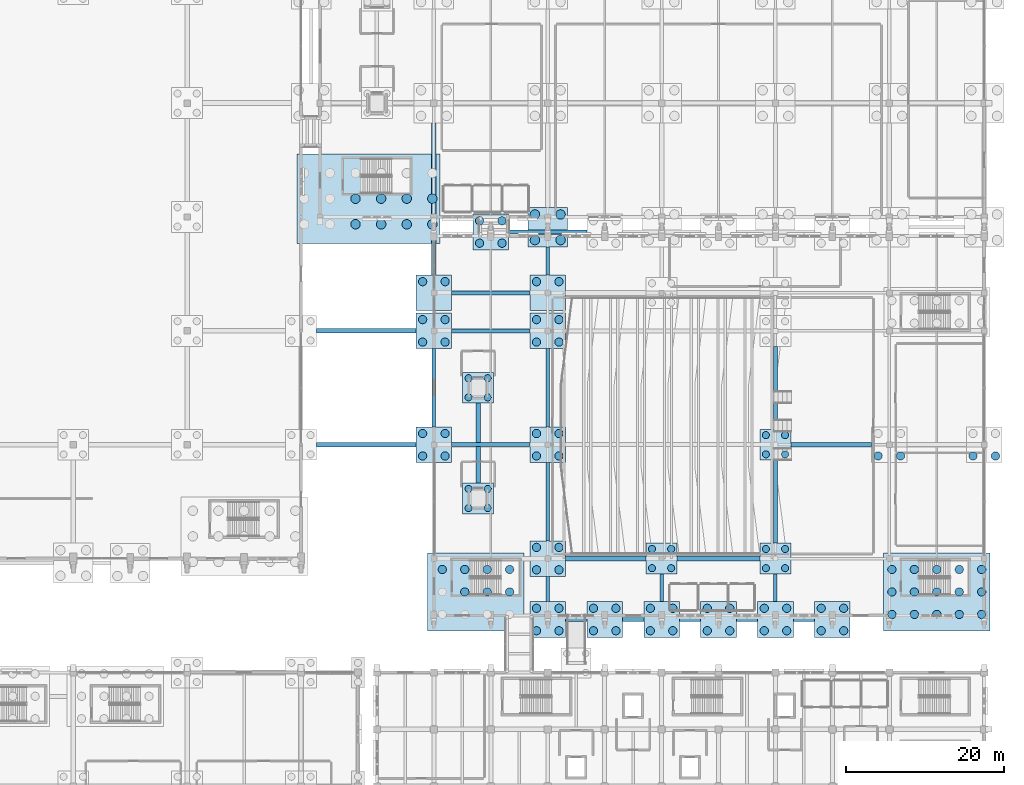
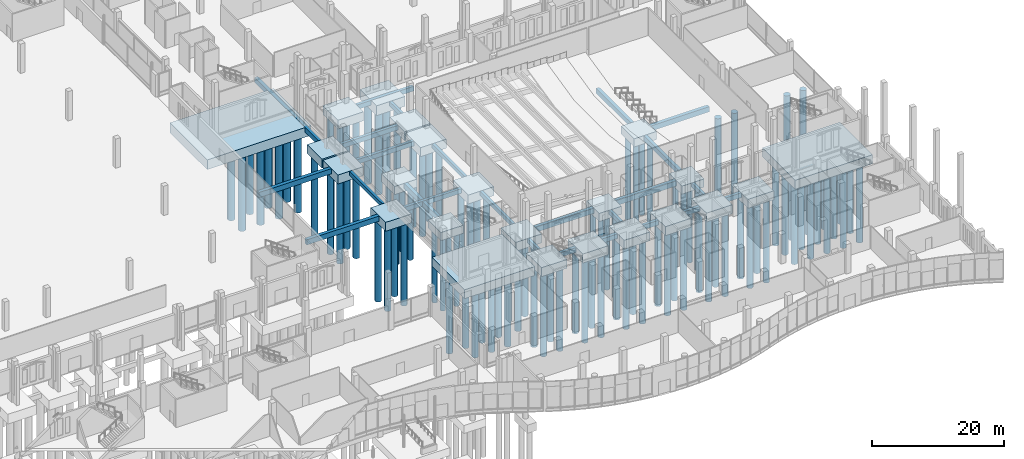
# One storey, part 5 of 192: 110 piles, 48 footings.
"""IFC4 building model written with IfcOpenShell, lengths in metres."""

from ifc_helpers import new_model, si_unit, direction, frame, origin, origin_2d, place, context, subcontext, project, spatial, rectangle, circle, extrude, material, material_profile, profile_set, type_object, element, save


model = new_model("IFC4")

# Units and contexts
model_context = context("Model", 3, precision=1e-05, world=origin(), true_north=direction((0.0, 1.0)))
body_context = subcontext(model_context, "Body", "Model", "MODEL_VIEW")
ifc_project = project(units=[si_unit("LENGTHUNIT", "METRE"), si_unit("AREAUNIT", "SQUARE_METRE"), si_unit("VOLUMEUNIT", "CUBIC_METRE"), si_unit("PLANEANGLEUNIT", "RADIAN"), si_unit("MASSUNIT", "GRAM", prefix="KILO")], contexts=[model_context])

# Site, building, storey
site_placement = place(None, origin())
site = spatial("IfcSite", under=ifc_project, at=site_placement, CompositionType="ELEMENT")
building_placement = place(site_placement, origin())
building = spatial("IfcBuilding", under=site, at=building_placement, Name="Cendralis Lancet Convention Centre", CompositionType="ELEMENT")
storey_placement = place(building_placement, origin())
storey = spatial("IfcBuildingStorey", under=building, at=storey_placement, Name="L00", CompositionType="ELEMENT", Elevation=0.0)

# Footings
ifc_material = material(Name="Concrete G35 (C35/45)", Category="concrete")
footing_type_1 = type_object("IfcFootingType", Name="STR-FT-PC02", PredefinedType="PILE_CAP", material=ifc_material)
for number, where, z_axis, x_axis, name in (
    (1, (139.199951171875, 64.800048828125, -3.300048828125), (0.0, 0.0, 1.0), (1.0, 0.0, 0.0), "Pile Cap PC-02 #152"),
    (2, (139.199951171875, 79.199951171875, -3.300048828125), (0.0, 0.0, 1.0), (1.0, 0.0, 0.0), "Pile Cap PC-02 #153"),
    (3, (139.199951171875, 84.0, -3.300048828125), (0.0, 0.0, 1.0), (1.0, 0.0, 0.0), "Pile Cap PC-02 #154"),
    (4, (146.39990234375, 91.705078125, -3.300048828125), (0.0, 0.0, 1.0), (1.0, 0.0, 0.0), "Pile Cap PC-02 #161"),
    (5, (153.60009765625, 42.695068359375, -3.300048828125), (0.0, 0.0, 1.0), (1.0, 0.0, 0.0), "Pile Cap PC-02 #162"),
    (6, (153.60009765625, 50.39990234375, -3.300048828125), (0.0, 0.0, 1.0), (1.0, 0.0, 0.0), "Pile Cap PC-02 #163"),
    (7, (153.60009765625, 64.800048828125, -3.300048828125), (0.0, 0.0, 1.0), (1.0, 0.0, 0.0), "Pile Cap PC-02 #164"),
    (8, (153.60009765625, 79.199951171875, -3.300048828125), (0.0, 0.0, 1.0), (1.0, 0.0, 0.0), "Pile Cap PC-02 #165"),
    (9, (153.60009765625, 84.0, -3.300048828125), (0.0, 0.0, 1.0), (1.0, 0.0, 0.0), "Pile Cap PC-02 #166"),
    (10, (160.800048828125, 42.695068359375, -3.300048828125), (0.0, 0.0, 1.0), (1.0, 0.0, 0.0), "Pile Cap PC-02 #172"),
    (11, (168.0, 42.695068359375, -3.300048828125), (0.0, 0.0, 1.0), (1.0, 0.0, 0.0), "Pile Cap PC-02 #174"),
    (12, (175.199951171875, 42.695068359375, -3.300048828125), (0.0, 0.0, 1.0), (1.0, 0.0, 0.0), "Pile Cap PC-02 #181"),
    (13, (182.39990234375, 42.695068359375, -3.300048828125), (0.0, 0.0, 1.0), (1.0, 0.0, 0.0), "Pile Cap PC-02 #183"),
    (14, (189.60009765625, 42.695068359375, -3.300048828125), (0.0, 0.0, 1.0), (1.0, 0.0, 0.0), "Pile Cap PC-02 #192"),
):
    element("IfcFooting", number, at=place(storey_placement, frame(where, z_axis=z_axis, x_axis=x_axis)), inside=storey, type_object=footing_type_1, Name=name, PredefinedType="PILE_CAP", context=body_context, shape_type="SweptSolid", body=[
        extrude(rectangle(XDim=4.5, YDim=4.5, at=origin_2d()), origin(), (0.0, 0.0, 1.0), 1.64990234375),
    ])
footing_type_2 = type_object("IfcFootingType", Name="STR-FT-PC04", PredefinedType="PILE_CAP", material=ifc_material)
for number, where, z_axis, x_axis, name in (
    (15, (144.800048828125, 58.0, -3.14990234375), (0.0, 0.0, 1.0), (1.0, 0.0, 0.0), "Pile Cap PC-04 #158"),
    (16, (144.800048828125, 72.0, -3.14990234375), (0.0, 0.0, 1.0), (1.0, 0.0, 0.0), "Pile Cap PC-04 #159"),
    (17, (168.0, 50.39990234375, -3.14990234375), (0.0, 0.0, 1.0), (1.0, 0.0, 0.0), "Pile Cap PC-04 #175"),
    (18, (182.39990234375, 50.39990234375, -3.14990234375), (0.0, 0.0, 1.0), (1.0, 0.0, 0.0), "Pile Cap PC-04 #184"),
    (19, (182.39990234375, 64.800048828125, -3.14990234375), (0.0, 0.0, 1.0), (1.0, 0.0, 0.0), "Pile Cap PC-04 #185"),
):
    element("IfcFooting", number, at=place(storey_placement, frame(where, z_axis=z_axis, x_axis=x_axis)), inside=storey, type_object=footing_type_2, Name=name, PredefinedType="PILE_CAP", context=body_context, shape_type="SweptSolid", body=[
        extrude(rectangle(XDim=3.89990234375, YDim=3.89990234375, at=origin_2d()), origin(), (0.0, 0.0, 1.0), 1.5),
    ])
footing_type_3 = type_object("IfcFootingType", Name="STR-FT-PC16", PredefinedType="PILE_CAP", material=ifc_material)
footing_1_placement = place(storey_placement, frame((153.60009765625, 92.300048828125, -3.4501953125), z_axis=(0.0, 0.0, 1.0), x_axis=(1.0, 0.0, 0.0)))
element("IfcFooting", 20, at=footing_1_placement, inside=storey, type_object=footing_type_3, Name="Pile Cap PC-16 #167", PredefinedType="PILE_CAP", context=body_context, shape_type="SweptSolid", body=[
    extrude(rectangle(XDim=5.0, YDim=5.0, at=origin_2d()), origin(), (0.0, 0.0, 1.0), 1.800048828125),
])
footing_type_4 = type_object("IfcFootingType", Name="STR-FT-PC27", PredefinedType="PILE_CAP", material=ifc_material)
footing_2_placement = place(storey_placement, frame((130.9111328125, 95.9150390625, -3.4501953125), z_axis=(0.0, 0.0, 1.0), x_axis=(1.0, 0.0, 0.0)))
element("IfcFooting", 21, at=footing_2_placement, inside=storey, type_object=footing_type_4, Name="Pile Cap PC-27 #149", PredefinedType="PILE_CAP", context=body_context, shape_type="SweptSolid", body=[
    extrude(rectangle(XDim=18.10009765625, YDim=11.300048828125, at=origin_2d()), origin(), (0.0, 0.0, 1.0), 1.800048828125),
])
footing_type_5 = type_object("IfcFootingType", Name="STR-FT-PC29", PredefinedType="PILE_CAP", material=ifc_material)
footing_3_placement = place(storey_placement, frame((144.52490234375, 46.1826171875, -3.300048828125), z_axis=(0.0, 0.0, 1.0), x_axis=(1.0, 0.0, 0.0)))
element("IfcFooting", 22, at=footing_3_placement, inside=storey, type_object=footing_type_5, Name="Pile Cap PC-29 #157", PredefinedType="PILE_CAP", context=body_context, shape_type="SweptSolid", body=[
    extrude(rectangle(XDim=12.199951171875, YDim=9.89990234375, at=origin_2d()), origin(), (0.0, 0.0, 1.0), 1.64990234375),
])
footing_type_6 = type_object("IfcFootingType", Name="STR-FT-PC30", PredefinedType="PILE_CAP", material=ifc_material)
footing_4_placement = place(storey_placement, frame((202.800048828125, 46.1826171875, -3.300048828125), z_axis=(0.0, 0.0, 1.0), x_axis=(1.0, 0.0, 0.0)))
element("IfcFooting", 23, at=footing_4_placement, inside=storey, type_object=footing_type_6, Name="Pile Cap PC-30 #199", PredefinedType="PILE_CAP", context=body_context, shape_type="SweptSolid", body=[
    extrude(rectangle(XDim=13.5, YDim=9.89990234375, at=origin_2d()), origin(), (0.0, 0.0, 1.0), 1.64990234375),
])
ifc_material_profile_1 = material_profile(ifc_material, rectangle(XDim=0.60009765625, YDim=0.949951171875, at=origin_2d()), Name="RCB 600x950")
ifc_profile_set_1 = profile_set([ifc_material_profile_1], Name="Concrete G35 (C35/45)")
footing_type_7 = type_object("IfcFootingType", Name="STR-GB-GB01", PredefinedType="FOOTING_BEAM", material=ifc_profile_set_1)
footing_5_placement = place(storey_placement, frame((155.85009765625, 50.39990234375, -2.125), z_axis=(1.0, 0.0, 0.0), x_axis=(0.0, 1.0, 0.0)))
element("IfcFooting", 24, at=footing_5_placement, inside=storey, type_object=footing_type_7, Name="Ground Tie Beam GB01 X-071", PredefinedType="FOOTING_BEAM", context=body_context, shape_type="SweptSolid", body=[
    extrude(rectangle(XDim=0.60009765625, YDim=0.949951171875, at=origin_2d()), origin(), (0.0, 0.0, 1.0), 10.199951171875),
])
footing_6_placement = place(storey_placement, frame((169.949951171875, 50.39990234375, -2.125), z_axis=(1.0, 0.0, 0.0), x_axis=(0.0, 1.0, 0.0)))
element("IfcFooting", 25, at=footing_6_placement, inside=storey, type_object=footing_type_7, Name="Ground Tie Beam GB01 X-072", PredefinedType="FOOTING_BEAM", context=body_context, shape_type="SweptSolid", body=[
    extrude(rectangle(XDim=0.60009765625, YDim=0.949951171875, at=origin_2d()), origin(), (0.0, 0.0, 1.0), 10.5),
])
footing_7_placement = place(storey_placement, frame((124.35009765625, 64.800048828125, -2.125), z_axis=(1.0, 0.0, 0.0), x_axis=(0.0, 1.0, 0.0)))
element("IfcFooting", 26, at=footing_7_placement, inside=storey, type_object=footing_type_7, Name="Ground Tie Beam GB01 X-084", PredefinedType="FOOTING_BEAM", context=body_context, shape_type="SweptSolid", body=[
    extrude(rectangle(XDim=0.60009765625, YDim=0.949951171875, at=origin_2d()), origin(), (0.0, 0.0, 1.0), 12.599853515625),
])
footing_8_placement = place(storey_placement, frame((184.35009765625, 64.800048828125, -2.125), z_axis=(1.0, 0.0, 0.0), x_axis=(0.0, 1.0, 0.0)))
element("IfcFooting", 27, at=footing_8_placement, inside=storey, type_object=footing_type_7, Name="Ground Tie Beam GB01 X-086", PredefinedType="FOOTING_BEAM", context=body_context, shape_type="SweptSolid", body=[
    extrude(rectangle(XDim=0.60009765625, YDim=0.949951171875, at=origin_2d()), origin(), (0.0, 0.0, 1.0), 10.199951171875),
])
footing_9_placement = place(storey_placement, frame((124.35009765625, 79.199951171875, -2.125), z_axis=(1.0, 0.0, 0.0), x_axis=(0.0, 1.0, 0.0)))
element("IfcFooting", 28, at=footing_9_placement, inside=storey, type_object=footing_type_7, Name="Ground Tie Beam GB01 X-090", PredefinedType="FOOTING_BEAM", context=body_context, shape_type="SweptSolid", body=[
    extrude(rectangle(XDim=0.60009765625, YDim=0.949951171875, at=origin_2d()), origin(), (0.0, 0.0, 1.0), 12.599853515625),
])
ifc_material_profile_2 = material_profile(ifc_material, rectangle(XDim=0.550048828125, YDim=0.89990234375, at=origin_2d()), Name="RCB 550x900")
ifc_profile_set_2 = profile_set([ifc_material_profile_2], Name="Concrete G35 (C35/45)")
footing_type_8 = type_object("IfcFootingType", Name="STR-GB-GB02", PredefinedType="FOOTING_BEAM", material=ifc_profile_set_2)
footing_10_placement = place(storey_placement, frame((139.199951171875, 86.25, -2.10009765625), z_axis=(0.0, 1.0, 0.0), x_axis=(-1.0, 0.0, 0.0)))
element("IfcFooting", 29, at=footing_10_placement, inside=storey, type_object=footing_type_8, Name="Ground Tie Beam GB02 Y-212", PredefinedType="FOOTING_BEAM", context=body_context, shape_type="SweptSolid", body=[
    extrude(rectangle(XDim=0.550048828125, YDim=0.89990234375, at=origin_2d()), origin(), (0.0, 0.0, 1.0), 19.25),
])
footing_11_placement = place(storey_placement, frame((144.800048828125, 59.949951171875, -2.10009765625), z_axis=(0.0, 1.0, 0.0), x_axis=(-1.0, 0.0, 0.0)))
element("IfcFooting", 30, at=footing_11_placement, inside=storey, type_object=footing_type_8, Name="Ground Tie Beam GB02 Y-214", PredefinedType="FOOTING_BEAM", context=body_context, shape_type="SweptSolid", body=[
    extrude(rectangle(XDim=0.550048828125, YDim=0.89990234375, at=origin_2d()), origin(), (0.0, 0.0, 1.0), 10.10009765625),
])
for number, where, z_axis, x_axis, name in (
    (31, (182.39990234375, 52.35009765625, -2.10009765625), (0.0, 1.0, 0.0), (-1.0, 0.0, 0.0), "Ground Tie Beam GB02 Y-228"),
    (32, (182.39990234375, 66.75, -2.10009765625), (0.0, 1.0, 0.0), (-1.0, 0.0, 0.0), "Ground Tie Beam GB02 Y-229"),
):
    element("IfcFooting", number, at=place(storey_placement, frame(where, z_axis=z_axis, x_axis=x_axis)), inside=storey, type_object=footing_type_8, Name=name, PredefinedType="FOOTING_BEAM", context=body_context, shape_type="SweptSolid", body=[
        extrude(rectangle(XDim=0.550048828125, YDim=0.89990234375, at=origin_2d()), origin(), (0.0, 0.0, 1.0), 10.5),
    ])
ifc_material_profile_3 = material_profile(ifc_material, rectangle(XDim=0.5, YDim=0.85009765625, at=origin_2d()), Name="RCB 500x850")
ifc_profile_set_3 = profile_set([ifc_material_profile_3], Name="Concrete G35 (C35/45)")
footing_type_9 = type_object("IfcFootingType", Name="STR-GB-GB03", PredefinedType="FOOTING_BEAM", material=ifc_profile_set_3)
for number, where, z_axis, x_axis, name in (
    (33, (155.85009765625, 42.695068359375, -2.074951171875), (1.0, 0.0, 0.0), (0.0, 1.0, 0.0), "Ground Tie Beam GB03 X-059"),
    (34, (163.050048828125, 42.695068359375, -2.074951171875), (1.0, 0.0, 0.0), (0.0, 1.0, 0.0), "Ground Tie Beam GB03 X-060"),
    (35, (170.25, 42.695068359375, -2.074951171875), (1.0, 0.0, 0.0), (0.0, 1.0, 0.0), "Ground Tie Beam GB03 X-061"),
    (36, (177.449951171875, 42.695068359375, -2.074951171875), (1.0, 0.0, 0.0), (0.0, 1.0, 0.0), "Ground Tie Beam GB03 X-062"),
):
    element("IfcFooting", number, at=place(storey_placement, frame(where, z_axis=z_axis, x_axis=x_axis)), inside=storey, type_object=footing_type_9, Name=name, PredefinedType="FOOTING_BEAM", context=body_context, shape_type="SweptSolid", body=[
        extrude(rectangle(XDim=0.5, YDim=0.85009765625, at=origin_2d()), origin(), (0.0, 0.0, 1.0), 2.699951171875),
    ])
footing_12_placement = place(storey_placement, frame((184.64990234375, 42.695068359375, -2.074951171875), z_axis=(1.0, 0.0, 0.0), x_axis=(0.0, 1.0, 0.0)))
element("IfcFooting", 37, at=footing_12_placement, inside=storey, type_object=footing_type_9, Name="Ground Tie Beam GB03 X-063", PredefinedType="FOOTING_BEAM", context=body_context, shape_type="SweptSolid", body=[
    extrude(rectangle(XDim=0.5, YDim=0.85009765625, at=origin_2d()), origin(), (0.0, 0.0, 1.0), 2.7001953125),
])
for number, where, z_axis, x_axis, name in (
    (38, (141.449951171875, 64.800048828125, -2.074951171875), (1.0, 0.0, 0.0), (0.0, 1.0, 0.0), "Ground Tie Beam GB03 X-085"),
    (39, (141.449951171875, 79.199951171875, -2.074951171875), (1.0, 0.0, 0.0), (0.0, 1.0, 0.0), "Ground Tie Beam GB03 X-091"),
    (40, (141.449951171875, 84.0, -2.074951171875), (1.0, 0.0, 0.0), (0.0, 1.0, 0.0), "Ground Tie Beam GB03 X-092"),
    (41, (148.64990234375, 91.705078125, -2.074951171875), (1.0, 0.0, 0.0), (0.0, 1.0, 0.0), "Ground Tie Beam GB03 X-095"),
):
    element("IfcFooting", number, at=place(storey_placement, frame(where, z_axis=z_axis, x_axis=x_axis)), inside=storey, type_object=footing_type_9, Name=name, PredefinedType="FOOTING_BEAM", context=body_context, shape_type="SweptSolid", body=[
        extrude(rectangle(XDim=0.5, YDim=0.85009765625, at=origin_2d()), origin(), (0.0, 0.0, 1.0), 9.900146484375),
    ])
ifc_material_profile_4 = material_profile(ifc_material, rectangle(XDim=0.449951171875, YDim=0.75, at=origin_2d()), Name="RCB 450x750")
ifc_profile_set_4 = profile_set([ifc_material_profile_4], Name="Concrete G35 (C35/45)")
footing_type_10 = type_object("IfcFootingType", Name="STR-GB-GB04", PredefinedType="FOOTING_BEAM", material=ifc_profile_set_4)
footing_13_placement = place(storey_placement, frame((139.199951171875, 67.050048828125, -2.02490234375), z_axis=(0.0, 1.0, 0.0), x_axis=(-1.0, 0.0, 0.0)))
element("IfcFooting", 42, at=footing_13_placement, inside=storey, type_object=footing_type_10, Name="Ground Tie Beam GB04 Y-211", PredefinedType="FOOTING_BEAM", context=body_context, shape_type="SweptSolid", body=[
    extrude(rectangle(XDim=0.449951171875, YDim=0.75, at=origin_2d()), origin(), (0.0, 0.0, 1.0), 9.89990234375),
])
footing_14_placement = place(storey_placement, frame((153.60009765625, 44.945068359375, -2.02490234375), z_axis=(0.0, 1.0, 0.0), x_axis=(-1.0, 0.0, 0.0)))
element("IfcFooting", 43, at=footing_14_placement, inside=storey, type_object=footing_type_10, Name="Ground Tie Beam GB04 Y-215", PredefinedType="FOOTING_BEAM", context=body_context, shape_type="SweptSolid", body=[
    extrude(rectangle(XDim=0.449951171875, YDim=0.75, at=origin_2d()), origin(), (0.0, 0.0, 1.0), 3.204833984375),
])
footing_15_placement = place(storey_placement, frame((153.60009765625, 52.64990234375, -2.02490234375), z_axis=(0.0, 1.0, 0.0), x_axis=(-1.0, 0.0, 0.0)))
element("IfcFooting", 44, at=footing_15_placement, inside=storey, type_object=footing_type_10, Name="Ground Tie Beam GB04 Y-216", PredefinedType="FOOTING_BEAM", context=body_context, shape_type="SweptSolid", body=[
    extrude(rectangle(XDim=0.449951171875, YDim=0.75, at=origin_2d()), origin(), (0.0, 0.0, 1.0), 9.900146484375),
])
footing_16_placement = place(storey_placement, frame((153.60009765625, 67.050048828125, -2.02490234375), z_axis=(0.0, 1.0, 0.0), x_axis=(-1.0, 0.0, 0.0)))
element("IfcFooting", 45, at=footing_16_placement, inside=storey, type_object=footing_type_10, Name="Ground Tie Beam GB04 Y-217", PredefinedType="FOOTING_BEAM", context=body_context, shape_type="SweptSolid", body=[
    extrude(rectangle(XDim=0.449951171875, YDim=0.75, at=origin_2d()), origin(), (0.0, 0.0, 1.0), 9.89990234375),
])
footing_17_placement = place(storey_placement, frame((153.60009765625, 86.25, -2.02490234375), z_axis=(0.0, 1.0, 0.0), x_axis=(-1.0, 0.0, 0.0)))
element("IfcFooting", 46, at=footing_17_placement, inside=storey, type_object=footing_type_10, Name="Ground Tie Beam GB04 Y-218", PredefinedType="FOOTING_BEAM", context=body_context, shape_type="SweptSolid", body=[
    extrude(rectangle(XDim=0.449951171875, YDim=0.75, at=origin_2d()), origin(), (0.0, 0.0, 1.0), 3.550048828125),
])
for number, where, z_axis, x_axis, name in (
    (47, (168.0, 44.945068359375, -2.02490234375), (0.0, 1.0, 0.0), (-1.0, 0.0, 0.0), "Ground Tie Beam GB04 Y-222"),
    (48, (182.39990234375, 44.945068359375, -2.02490234375), (0.0, 1.0, 0.0), (-1.0, 0.0, 0.0), "Ground Tie Beam GB04 Y-227"),
):
    element("IfcFooting", number, at=place(storey_placement, frame(where, z_axis=z_axis, x_axis=x_axis)), inside=storey, type_object=footing_type_10, Name=name, PredefinedType="FOOTING_BEAM", context=body_context, shape_type="SweptSolid", body=[
        extrude(rectangle(XDim=0.449951171875, YDim=0.75, at=origin_2d()), origin(), (0.0, 0.0, 1.0), 3.5048828125),
    ])

# Piles
ifc_material_profile_5 = material_profile(ifc_material, circle(Radius=0.52490234375, at=origin_2d()), Name="BORED PILE D1050")
ifc_profile_set_5 = profile_set([ifc_material_profile_5], Name="Concrete G35 (C35/45)")
pile_type_1 = type_object("IfcPileType", Name="STR-PL-P1050", PredefinedType="BORED", material=ifc_profile_set_5)
for number, where, z_axis, x_axis, name in (
    (49, (137.780029296875, 63.3798828125, -3.14990234375), (0.0, 0.0, -1.0), (1.0, 0.0, 0.0), "Bored Pile P-1050 FT2-PC-02-152-P1"),
    (50, (137.780029296875, 66.219970703125, -3.14990234375), (0.0, 0.0, -1.0), (1.0, 0.0, 0.0), "Bored Pile P-1050 FT2-PC-02-152-P2"),
    (51, (140.6201171875, 63.3798828125, -3.14990234375), (0.0, 0.0, -1.0), (1.0, 0.0, 0.0), "Bored Pile P-1050 FT2-PC-02-152-P3"),
    (52, (140.6201171875, 66.219970703125, -3.14990234375), (0.0, 0.0, -1.0), (1.0, 0.0, 0.0), "Bored Pile P-1050 FT2-PC-02-152-P4"),
    (53, (137.780029296875, 77.780029296875, -3.14990234375), (0.0, 0.0, -1.0), (1.0, 0.0, 0.0), "Bored Pile P-1050 FT2-PC-02-153-P1"),
    (54, (137.780029296875, 80.6201171875, -3.14990234375), (0.0, 0.0, -1.0), (1.0, 0.0, 0.0), "Bored Pile P-1050 FT2-PC-02-153-P2"),
    (55, (140.6201171875, 77.780029296875, -3.14990234375), (0.0, 0.0, -1.0), (1.0, 0.0, 0.0), "Bored Pile P-1050 FT2-PC-02-153-P3"),
    (56, (140.6201171875, 80.6201171875, -3.14990234375), (0.0, 0.0, -1.0), (1.0, 0.0, 0.0), "Bored Pile P-1050 FT2-PC-02-153-P4"),
    (57, (137.780029296875, 85.419921875, -3.14990234375), (0.0, 0.0, -1.0), (1.0, 0.0, 0.0), "Bored Pile P-1050 FT2-PC-02-154-P2"),
    (58, (140.6201171875, 85.419921875, -3.14990234375), (0.0, 0.0, -1.0), (1.0, 0.0, 0.0), "Bored Pile P-1050 FT2-PC-02-154-P4"),
    (59, (140.264892578125, 49.0224609375, -3.14990234375), (0.0, 0.0, -1.0), (1.0, 0.0, 0.0), "Bored Pile P-1050 FT2-PC-29-157-P3"),
    (60, (143.10498046875, 46.1826171875, -3.14990234375), (0.0, 0.0, -1.0), (1.0, 0.0, 0.0), "Bored Pile P-1050 FT2-PC-29-157-P5"),
    (61, (143.10498046875, 49.0224609375, -3.14990234375), (0.0, 0.0, -1.0), (1.0, 0.0, 0.0), "Bored Pile P-1050 FT2-PC-29-157-P6"),
    (62, (145.945068359375, 46.1826171875, -3.14990234375), (0.0, 0.0, -1.0), (1.0, 0.0, 0.0), "Bored Pile P-1050 FT2-PC-29-157-P8"),
    (63, (145.945068359375, 49.0224609375, -3.14990234375), (0.0, 0.0, -1.0), (1.0, 0.0, 0.0), "Bored Pile P-1050 FT2-PC-29-157-P9"),
    (64, (148.784912109375, 46.1826171875, -3.14990234375), (0.0, 0.0, -1.0), (1.0, 0.0, 0.0), "Bored Pile P-1050 FT2-PC-29-157-P11"),
    (65, (148.784912109375, 49.0224609375, -3.14990234375), (0.0, 0.0, -1.0), (1.0, 0.0, 0.0), "Bored Pile P-1050 FT2-PC-29-157-P12"),
    (66, (144.97998046875, 90.284912109375, -3.14990234375), (0.0, 0.0, -1.0), (1.0, 0.0, 0.0), "Bored Pile P-1050 FT2-PC-02-161-P1"),
    (67, (144.97998046875, 93.125, -3.14990234375), (0.0, 0.0, -1.0), (1.0, 0.0, 0.0), "Bored Pile P-1050 FT2-PC-02-161-P2"),
    (68, (147.820068359375, 90.284912109375, -3.14990234375), (0.0, 0.0, -1.0), (1.0, 0.0, 0.0), "Bored Pile P-1050 FT2-PC-02-161-P3"),
    (69, (147.820068359375, 93.125, -3.14990234375), (0.0, 0.0, -1.0), (1.0, 0.0, 0.0), "Bored Pile P-1050 FT2-PC-02-161-P4"),
    (70, (152.179931640625, 41.27490234375, -3.14990234375), (0.0, 0.0, -1.0), (1.0, 0.0, 0.0), "Bored Pile P-1050 FT2-PC-02-162-P1"),
    (71, (152.179931640625, 44.114990234375, -3.14990234375), (0.0, 0.0, -1.0), (1.0, 0.0, 0.0), "Bored Pile P-1050 FT2-PC-02-162-P2"),
    (72, (155.02001953125, 41.27490234375, -3.14990234375), (0.0, 0.0, -1.0), (1.0, 0.0, 0.0), "Bored Pile P-1050 FT2-PC-02-162-P3"),
    (73, (155.02001953125, 44.114990234375, -3.14990234375), (0.0, 0.0, -1.0), (1.0, 0.0, 0.0), "Bored Pile P-1050 FT2-PC-02-162-P4"),
    (74, (152.179931640625, 48.97998046875, -3.14990234375), (0.0, 0.0, -1.0), (1.0, 0.0, 0.0), "Bored Pile P-1050 FT2-PC-02-163-P1"),
    (75, (152.179931640625, 51.820068359375, -3.14990234375), (0.0, 0.0, -1.0), (1.0, 0.0, 0.0), "Bored Pile P-1050 FT2-PC-02-163-P2"),
    (76, (155.02001953125, 48.97998046875, -3.14990234375), (0.0, 0.0, -1.0), (1.0, 0.0, 0.0), "Bored Pile P-1050 FT2-PC-02-163-P3"),
    (77, (155.02001953125, 51.820068359375, -3.14990234375), (0.0, 0.0, -1.0), (1.0, 0.0, 0.0), "Bored Pile P-1050 FT2-PC-02-163-P4"),
    (78, (152.179931640625, 63.3798828125, -3.14990234375), (0.0, 0.0, -1.0), (1.0, 0.0, 0.0), "Bored Pile P-1050 FT2-PC-02-164-P1"),
    (79, (152.179931640625, 66.219970703125, -3.14990234375), (0.0, 0.0, -1.0), (1.0, 0.0, 0.0), "Bored Pile P-1050 FT2-PC-02-164-P2"),
    (80, (155.02001953125, 63.3798828125, -3.14990234375), (0.0, 0.0, -1.0), (1.0, 0.0, 0.0), "Bored Pile P-1050 FT2-PC-02-164-P3"),
    (81, (155.02001953125, 66.219970703125, -3.14990234375), (0.0, 0.0, -1.0), (1.0, 0.0, 0.0), "Bored Pile P-1050 FT2-PC-02-164-P4"),
    (82, (152.179931640625, 77.780029296875, -3.14990234375), (0.0, 0.0, -1.0), (1.0, 0.0, 0.0), "Bored Pile P-1050 FT2-PC-02-165-P1"),
    (83, (152.179931640625, 80.6201171875, -3.14990234375), (0.0, 0.0, -1.0), (1.0, 0.0, 0.0), "Bored Pile P-1050 FT2-PC-02-165-P2"),
    (84, (155.02001953125, 77.780029296875, -3.14990234375), (0.0, 0.0, -1.0), (1.0, 0.0, 0.0), "Bored Pile P-1050 FT2-PC-02-165-P3"),
    (85, (155.02001953125, 80.6201171875, -3.14990234375), (0.0, 0.0, -1.0), (1.0, 0.0, 0.0), "Bored Pile P-1050 FT2-PC-02-165-P4"),
    (86, (152.179931640625, 85.419921875, -3.14990234375), (0.0, 0.0, -1.0), (1.0, 0.0, 0.0), "Bored Pile P-1050 FT2-PC-02-166-P2"),
    (87, (155.02001953125, 85.419921875, -3.14990234375), (0.0, 0.0, -1.0), (1.0, 0.0, 0.0), "Bored Pile P-1050 FT2-PC-02-166-P4"),
    (88, (159.3798828125, 41.27490234375, -3.14990234375), (0.0, 0.0, -1.0), (1.0, 0.0, 0.0), "Bored Pile P-1050 FT2-PC-02-172-P1"),
    (89, (159.3798828125, 44.114990234375, -3.14990234375), (0.0, 0.0, -1.0), (1.0, 0.0, 0.0), "Bored Pile P-1050 FT2-PC-02-172-P2"),
    (90, (162.219970703125, 41.27490234375, -3.14990234375), (0.0, 0.0, -1.0), (1.0, 0.0, 0.0), "Bored Pile P-1050 FT2-PC-02-172-P3"),
    (91, (162.219970703125, 44.114990234375, -3.14990234375), (0.0, 0.0, -1.0), (1.0, 0.0, 0.0), "Bored Pile P-1050 FT2-PC-02-172-P4"),
    (92, (166.580078125, 41.27490234375, -3.14990234375), (0.0, 0.0, -1.0), (1.0, 0.0, 0.0), "Bored Pile P-1050 FT2-PC-02-174-P1"),
    (93, (166.580078125, 44.114990234375, -3.14990234375), (0.0, 0.0, -1.0), (1.0, 0.0, 0.0), "Bored Pile P-1050 FT2-PC-02-174-P2"),
    (94, (169.419921875, 41.27490234375, -3.14990234375), (0.0, 0.0, -1.0), (1.0, 0.0, 0.0), "Bored Pile P-1050 FT2-PC-02-174-P3"),
    (95, (169.419921875, 44.114990234375, -3.14990234375), (0.0, 0.0, -1.0), (1.0, 0.0, 0.0), "Bored Pile P-1050 FT2-PC-02-174-P4"),
    (96, (173.780029296875, 41.27490234375, -3.14990234375), (0.0, 0.0, -1.0), (1.0, 0.0, 0.0), "Bored Pile P-1050 FT2-PC-02-181-P1"),
    (97, (173.780029296875, 44.114990234375, -3.14990234375), (0.0, 0.0, -1.0), (1.0, 0.0, 0.0), "Bored Pile P-1050 FT2-PC-02-181-P2"),
    (98, (176.6201171875, 41.27490234375, -3.14990234375), (0.0, 0.0, -1.0), (1.0, 0.0, 0.0), "Bored Pile P-1050 FT2-PC-02-181-P3"),
    (99, (176.6201171875, 44.114990234375, -3.14990234375), (0.0, 0.0, -1.0), (1.0, 0.0, 0.0), "Bored Pile P-1050 FT2-PC-02-181-P4"),
    (100, (180.97998046875, 41.27490234375, -3.14990234375), (0.0, 0.0, -1.0), (1.0, 0.0, 0.0), "Bored Pile P-1050 FT2-PC-02-183-P1"),
    (101, (180.97998046875, 44.114990234375, -3.14990234375), (0.0, 0.0, -1.0), (1.0, 0.0, 0.0), "Bored Pile P-1050 FT2-PC-02-183-P2"),
    (102, (183.820068359375, 41.27490234375, -3.14990234375), (0.0, 0.0, -1.0), (1.0, 0.0, 0.0), "Bored Pile P-1050 FT2-PC-02-183-P3"),
    (103, (183.820068359375, 44.114990234375, -3.14990234375), (0.0, 0.0, -1.0), (1.0, 0.0, 0.0), "Bored Pile P-1050 FT2-PC-02-183-P4"),
    (104, (188.179931640625, 41.27490234375, -3.14990234375), (0.0, 0.0, -1.0), (1.0, 0.0, 0.0), "Bored Pile P-1050 FT2-PC-02-192-P1"),
    (105, (188.179931640625, 44.114990234375, -3.14990234375), (0.0, 0.0, -1.0), (1.0, 0.0, 0.0), "Bored Pile P-1050 FT2-PC-02-192-P2"),
    (106, (191.02001953125, 41.27490234375, -3.14990234375), (0.0, 0.0, -1.0), (1.0, 0.0, 0.0), "Bored Pile P-1050 FT2-PC-02-192-P3"),
    (107, (191.02001953125, 44.114990234375, -3.14990234375), (0.0, 0.0, -1.0), (1.0, 0.0, 0.0), "Bored Pile P-1050 FT2-PC-02-192-P4"),
    (108, (195.3798828125, 63.3798828125, -3.14990234375), (0.0, 0.0, -1.0), (1.0, 0.0, 0.0), "Bored Pile P-1050 FT2-PC-02-195-P1"),
    (109, (198.219970703125, 63.3798828125, -3.14990234375), (0.0, 0.0, -1.0), (1.0, 0.0, 0.0), "Bored Pile P-1050 FT2-PC-02-195-P3"),
    (110, (197.1201171875, 43.342529296875, -3.14990234375), (0.0, 0.0, -1.0), (1.0, 0.0, 0.0), "Bored Pile P-1050 FT2-PC-30-199-P1"),
    (111, (197.1201171875, 46.1826171875, -3.14990234375), (0.0, 0.0, -1.0), (1.0, 0.0, 0.0), "Bored Pile P-1050 FT2-PC-30-199-P2"),
    (112, (197.1201171875, 49.0224609375, -3.14990234375), (0.0, 0.0, -1.0), (1.0, 0.0, 0.0), "Bored Pile P-1050 FT2-PC-30-199-P3"),
    (113, (199.9599609375, 43.342529296875, -3.14990234375), (0.0, 0.0, -1.0), (1.0, 0.0, 0.0), "Bored Pile P-1050 FT2-PC-30-199-P4"),
    (114, (199.9599609375, 46.1826171875, -3.14990234375), (0.0, 0.0, -1.0), (1.0, 0.0, 0.0), "Bored Pile P-1050 FT2-PC-30-199-P5"),
    (115, (199.9599609375, 49.0224609375, -3.14990234375), (0.0, 0.0, -1.0), (1.0, 0.0, 0.0), "Bored Pile P-1050 FT2-PC-30-199-P6"),
    (116, (202.800048828125, 43.342529296875, -3.14990234375), (0.0, 0.0, -1.0), (1.0, 0.0, 0.0), "Bored Pile P-1050 FT2-PC-30-199-P7"),
    (117, (202.800048828125, 46.1826171875, -3.14990234375), (0.0, 0.0, -1.0), (1.0, 0.0, 0.0), "Bored Pile P-1050 FT2-PC-30-199-P8"),
    (118, (202.800048828125, 49.0224609375, -3.14990234375), (0.0, 0.0, -1.0), (1.0, 0.0, 0.0), "Bored Pile P-1050 FT2-PC-30-199-P9"),
    (119, (205.639892578125, 43.342529296875, -3.14990234375), (0.0, 0.0, -1.0), (1.0, 0.0, 0.0), "Bored Pile P-1050 FT2-PC-30-199-P10"),
    (120, (205.639892578125, 46.1826171875, -3.14990234375), (0.0, 0.0, -1.0), (1.0, 0.0, 0.0), "Bored Pile P-1050 FT2-PC-30-199-P11"),
    (121, (205.639892578125, 49.0224609375, -3.14990234375), (0.0, 0.0, -1.0), (1.0, 0.0, 0.0), "Bored Pile P-1050 FT2-PC-30-199-P12"),
    (122, (208.47998046875, 43.342529296875, -3.14990234375), (0.0, 0.0, -1.0), (1.0, 0.0, 0.0), "Bored Pile P-1050 FT2-PC-30-199-P13"),
    (123, (208.47998046875, 46.1826171875, -3.14990234375), (0.0, 0.0, -1.0), (1.0, 0.0, 0.0), "Bored Pile P-1050 FT2-PC-30-199-P14"),
    (124, (208.47998046875, 49.0224609375, -3.14990234375), (0.0, 0.0, -1.0), (1.0, 0.0, 0.0), "Bored Pile P-1050 FT2-PC-30-199-P15"),
    (125, (207.3798828125, 63.3798828125, -3.14990234375), (0.0, 0.0, -1.0), (1.0, 0.0, 0.0), "Bored Pile P-1050 FT2-PC-02-202-P1"),
    (126, (210.219970703125, 63.3798828125, -3.14990234375), (0.0, 0.0, -1.0), (1.0, 0.0, 0.0), "Bored Pile P-1050 FT2-PC-02-202-P3"),
):
    element("IfcPile", number, at=place(storey_placement, frame(where, z_axis=z_axis, x_axis=x_axis)), inside=storey, type_object=pile_type_1, Name=name, PredefinedType="BORED", context=body_context, shape_type="SweptSolid", body=[
        extrude(circle(Radius=0.52490234375, at=origin_2d()), origin(), (0.0, 0.0, 1.0), 15.35009765625),
    ])
ifc_material_profile_6 = material_profile(ifc_material, circle(Radius=0.60009765625, at=origin_2d()), Name="BORED PILE D1200")
ifc_profile_set_6 = profile_set([ifc_material_profile_6], Name="Concrete G35 (C35/45)")
pile_type_2 = type_object("IfcPileType", Name="STR-PL-P1200", PredefinedType="BORED", material=ifc_profile_set_6)
for number, where, z_axis, x_axis, name in (
    (127, (129.291015625, 92.675048828125, -3.300048828125), (0.0, 0.0, -1.0), (1.0, 0.0, 0.0), "Bored Pile P-1200 FT2-PC-27-149-P7"),
    (128, (129.291015625, 95.9150390625, -3.300048828125), (0.0, 0.0, -1.0), (1.0, 0.0, 0.0), "Bored Pile P-1200 FT2-PC-27-149-P8"),
    (129, (132.531005859375, 92.675048828125, -3.300048828125), (0.0, 0.0, -1.0), (1.0, 0.0, 0.0), "Bored Pile P-1200 FT2-PC-27-149-P10"),
    (130, (132.531005859375, 95.9150390625, -3.300048828125), (0.0, 0.0, -1.0), (1.0, 0.0, 0.0), "Bored Pile P-1200 FT2-PC-27-149-P11"),
    (131, (135.77099609375, 92.675048828125, -3.300048828125), (0.0, 0.0, -1.0), (1.0, 0.0, 0.0), "Bored Pile P-1200 FT2-PC-27-149-P13"),
    (132, (135.77099609375, 95.9150390625, -3.300048828125), (0.0, 0.0, -1.0), (1.0, 0.0, 0.0), "Bored Pile P-1200 FT2-PC-27-149-P14"),
    (133, (139.010986328125, 92.675048828125, -3.300048828125), (0.0, 0.0, -1.0), (1.0, 0.0, 0.0), "Bored Pile P-1200 FT2-PC-27-149-P16"),
    (134, (139.010986328125, 95.9150390625, -3.300048828125), (0.0, 0.0, -1.0), (1.0, 0.0, 0.0), "Bored Pile P-1200 FT2-PC-27-149-P17"),
    (135, (151.97998046875, 90.679931640625, -3.300048828125), (0.0, 0.0, -1.0), (1.0, 0.0, 0.0), "Bored Pile P-1200 FT2-PC-16-167-P1"),
    (136, (151.97998046875, 93.919921875, -3.300048828125), (0.0, 0.0, -1.0), (1.0, 0.0, 0.0), "Bored Pile P-1200 FT2-PC-16-167-P2"),
    (137, (155.219970703125, 90.679931640625, -3.300048828125), (0.0, 0.0, -1.0), (1.0, 0.0, 0.0), "Bored Pile P-1200 FT2-PC-16-167-P3"),
    (138, (155.219970703125, 93.919921875, -3.300048828125), (0.0, 0.0, -1.0), (1.0, 0.0, 0.0), "Bored Pile P-1200 FT2-PC-16-167-P4"),
):
    element("IfcPile", number, at=place(storey_placement, frame(where, z_axis=z_axis, x_axis=x_axis)), inside=storey, type_object=pile_type_2, Name=name, PredefinedType="BORED", context=body_context, shape_type="SweptSolid", body=[
        extrude(circle(Radius=0.60009765625, at=origin_2d()), origin(), (0.0, 0.0, 1.0), 15.199951171875),
    ])
ifc_material_profile_7 = material_profile(ifc_material, circle(Radius=0.449951171875, at=origin_2d()), Name="BORED PILE D900")
ifc_profile_set_7 = profile_set([ifc_material_profile_7], Name="Concrete G35 (C35/45)")
pile_type_3 = type_object("IfcPileType", Name="STR-PL-P900", PredefinedType="BORED", material=ifc_profile_set_7)
for number, where, z_axis, x_axis, name in (
    (139, (143.5849609375, 56.784912109375, -3.0), (0.0, 0.0, -1.0), (1.0, 0.0, 0.0), "Bored Pile P-900 FT2-PC-04-158-P1"),
    (140, (143.5849609375, 59.215087890625, -3.0), (0.0, 0.0, -1.0), (1.0, 0.0, 0.0), "Bored Pile P-900 FT2-PC-04-158-P2"),
    (141, (146.014892578125, 56.784912109375, -3.0), (0.0, 0.0, -1.0), (1.0, 0.0, 0.0), "Bored Pile P-900 FT2-PC-04-158-P3"),
    (142, (146.014892578125, 59.215087890625, -3.0), (0.0, 0.0, -1.0), (1.0, 0.0, 0.0), "Bored Pile P-900 FT2-PC-04-158-P4"),
    (143, (143.5849609375, 70.784912109375, -3.0), (0.0, 0.0, -1.0), (1.0, 0.0, 0.0), "Bored Pile P-900 FT2-PC-04-159-P1"),
    (144, (143.5849609375, 73.215087890625, -3.0), (0.0, 0.0, -1.0), (1.0, 0.0, 0.0), "Bored Pile P-900 FT2-PC-04-159-P2"),
    (145, (146.014892578125, 70.784912109375, -3.0), (0.0, 0.0, -1.0), (1.0, 0.0, 0.0), "Bored Pile P-900 FT2-PC-04-159-P3"),
    (146, (146.014892578125, 73.215087890625, -3.0), (0.0, 0.0, -1.0), (1.0, 0.0, 0.0), "Bored Pile P-900 FT2-PC-04-159-P4"),
):
    element("IfcPile", number, at=place(storey_placement, frame(where, z_axis=z_axis, x_axis=x_axis)), inside=storey, type_object=pile_type_3, Name=name, PredefinedType="BORED", context=body_context, shape_type="SweptSolid", body=[
        extrude(circle(Radius=0.449951171875, at=origin_2d()), origin(), (0.0, 0.0, 1.0), 13.5),
    ])
for number, where, z_axis, x_axis, name in (
    (147, (166.784912109375, 49.18505859375, -3.0), (0.0, 0.0, -1.0), (1.0, 0.0, 0.0), "Bored Pile P-900 FT2-PC-04-175-P1"),
    (148, (166.784912109375, 51.614990234375, -3.0), (0.0, 0.0, -1.0), (1.0, 0.0, 0.0), "Bored Pile P-900 FT2-PC-04-175-P2"),
    (149, (169.215087890625, 49.18505859375, -3.0), (0.0, 0.0, -1.0), (1.0, 0.0, 0.0), "Bored Pile P-900 FT2-PC-04-175-P3"),
    (150, (169.215087890625, 51.614990234375, -3.0), (0.0, 0.0, -1.0), (1.0, 0.0, 0.0), "Bored Pile P-900 FT2-PC-04-175-P4"),
    (151, (181.18505859375, 49.18505859375, -3.0), (0.0, 0.0, -1.0), (1.0, 0.0, 0.0), "Bored Pile P-900 FT2-PC-04-184-P1"),
    (152, (181.18505859375, 51.614990234375, -3.0), (0.0, 0.0, -1.0), (1.0, 0.0, 0.0), "Bored Pile P-900 FT2-PC-04-184-P2"),
    (153, (183.614990234375, 49.18505859375, -3.0), (0.0, 0.0, -1.0), (1.0, 0.0, 0.0), "Bored Pile P-900 FT2-PC-04-184-P3"),
    (154, (183.614990234375, 51.614990234375, -3.0), (0.0, 0.0, -1.0), (1.0, 0.0, 0.0), "Bored Pile P-900 FT2-PC-04-184-P4"),
    (155, (181.18505859375, 63.5849609375, -3.0), (0.0, 0.0, -1.0), (1.0, 0.0, 0.0), "Bored Pile P-900 FT2-PC-04-185-P1"),
    (156, (181.18505859375, 66.014892578125, -3.0), (0.0, 0.0, -1.0), (1.0, 0.0, 0.0), "Bored Pile P-900 FT2-PC-04-185-P2"),
    (157, (183.614990234375, 63.5849609375, -3.0), (0.0, 0.0, -1.0), (1.0, 0.0, 0.0), "Bored Pile P-900 FT2-PC-04-185-P3"),
    (158, (183.614990234375, 66.014892578125, -3.0), (0.0, 0.0, -1.0), (1.0, 0.0, 0.0), "Bored Pile P-900 FT2-PC-04-185-P4"),
):
    element("IfcPile", number, at=place(storey_placement, frame(where, z_axis=z_axis, x_axis=x_axis)), inside=storey, type_object=pile_type_3, Name=name, PredefinedType="BORED", context=body_context, shape_type="SweptSolid", body=[
        extrude(circle(Radius=0.449951171875, at=origin_2d()), origin(), (0.0, 0.0, 1.0), 15.5),
    ])

save(model, "model.ifc")
